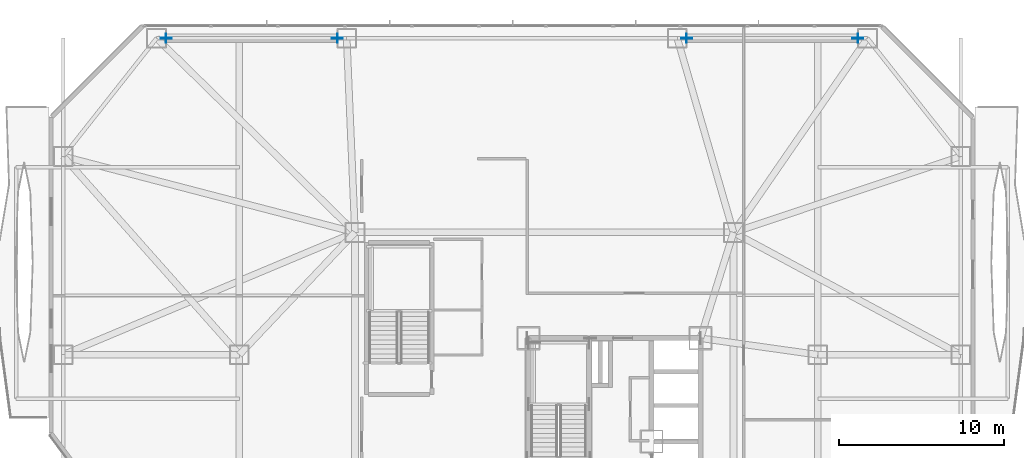
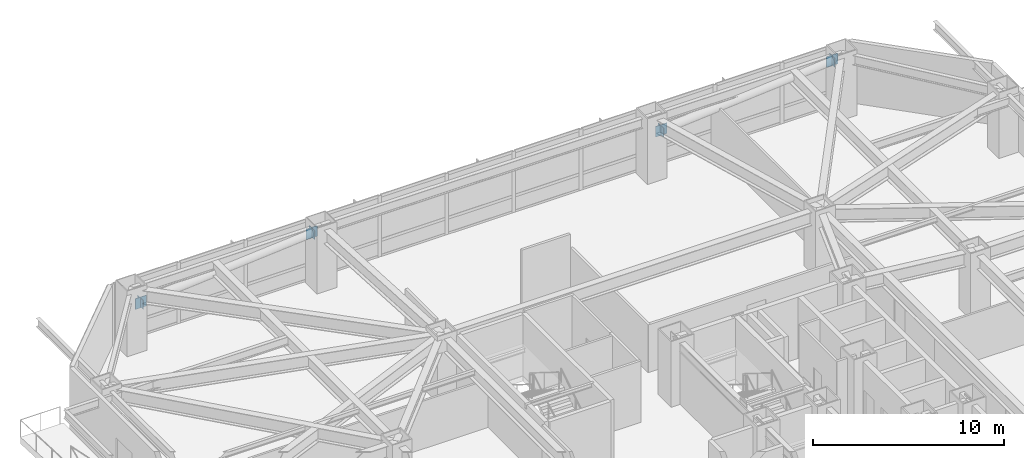
# One storey, part 22 of 32: 8 plates.
"""IFC4 building model written with IfcOpenShell, lengths in metres."""

from ifc_helpers import new_model, si_unit, direction, frame, origin, origin_2d, place, context, subcontext, project, spatial, rectangle, extrude, material, layer, layer_set, type_object, element, save


model = new_model("IFC4")

# Units and contexts
model_context = context("Model", 3, precision=1e-05, world=origin(), true_north=direction((0.0, 1.0)))
body_context = subcontext(model_context, "Body", "Model", "MODEL_VIEW")
ifc_project = project(units=[si_unit("LENGTHUNIT", "METRE"), si_unit("AREAUNIT", "SQUARE_METRE"), si_unit("VOLUMEUNIT", "CUBIC_METRE"), si_unit("PLANEANGLEUNIT", "RADIAN"), si_unit("MASSUNIT", "GRAM", prefix="KILO")], contexts=[model_context])

# Site, building, storey
site_placement = place(None, origin())
site = spatial("IfcSite", under=ifc_project, at=site_placement, CompositionType="ELEMENT")
building_placement = place(site_placement, origin())
building = spatial("IfcBuilding", under=site, at=building_placement, Name="Khamvora Tower", CompositionType="ELEMENT")
storey_placement = place(building_placement, frame((0.0, 0.0, 12.0)))
storey = spatial("IfcBuildingStorey", under=building, at=storey_placement, Name="L02", CompositionType="ELEMENT", Elevation=12.0)

# Plates
ifc_material_1 = material(Name="Steel S355", Category="steel")
ifc_layer_1 = layer(ifc_material_1, 0.02490234375)
ifc_layer_set_1 = layer_set([ifc_layer_1], Name="Steel S355")
plate_type_1 = type_object("IfcPlateType", Name="PL-CAP-25", PredefinedType="SHEET", material=ifc_layer_set_1)
for number, where, z_axis, x_axis, name in (
    (1, (7.06591796875, 55.14990234375, 2.44189453125), (0.0, 0.0, 1.0), (1.0, 0.0, 0.0), "L02 hollow section steel end cap plate 0424"),
    (2, (17.43408203125, 55.14990234375, 3.28076171875), (0.0, 0.0, 1.0), (1.0, 0.0, 0.0), "L02 hollow section steel end cap plate 0425"),
    (3, (38.56591796875, 55.14990234375, 2.44189453125), (0.0, 0.0, 1.0), (1.0, 0.0, 0.0), "L02 hollow section steel end cap plate 0426"),
    (4, (48.93408203125, 55.14990234375, 3.28076171875), (0.0, 0.0, 1.0), (1.0, 0.0, 0.0), "L02 hollow section steel end cap plate 0427"),
):
    element("IfcPlate", number, at=place(storey_placement, frame(where, z_axis=z_axis, x_axis=x_axis)), inside=storey, type_object=plate_type_1, Name=name, PredefinedType="SHEET", context=body_context, shape_type="SweptSolid", body=[
        extrude(rectangle(XDim=0.02490234375, YDim=0.568115234375, at=origin_2d()), origin(), (0.0, 0.0, 1.0), 0.568115234375),
    ])
ifc_material_2 = material(Name="Steel S460", Category="steel")
ifc_layer_2 = layer(ifc_material_2, 0.0400390625)
ifc_layer_set_2 = layer_set([ifc_layer_2], Name="Steel S460")
plate_type_2 = type_object("IfcPlateType", Name="PLT-GUS-40", PredefinedType="SHEET", material=ifc_layer_set_2)
for number, where, z_axis, x_axis, name in (
    (5, (7.077880859375, 55.14990234375, 2.38720703125), (0.0, 0.0, 1.0), (1.0, 0.0, 0.0), "L02 brace connection node gusset plate 0037"),
    (6, (17.422119140625, 55.14990234375, 3.22412109375), (0.0, 0.0, 1.0), (1.0, 0.0, 0.0), "L02 brace connection node gusset plate 0038"),
    (7, (38.577880859375, 55.14990234375, 2.38720703125), (0.0, 0.0, 1.0), (1.0, 0.0, 0.0), "L02 brace connection node gusset plate 0039"),
    (8, (48.922119140625, 55.14990234375, 3.22412109375), (0.0, 0.0, 1.0), (1.0, 0.0, 0.0), "L02 brace connection node gusset plate 0040"),
):
    element("IfcPlate", number, at=place(storey_placement, frame(where, z_axis=z_axis, x_axis=x_axis)), inside=storey, type_object=plate_type_2, Name=name, PredefinedType="SHEET", context=body_context, shape_type="SweptSolid", body=[
        extrude(rectangle(XDim=0.679931640625, YDim=0.0400390625, at=origin_2d()), origin(), (0.0, 0.0, 1.0), 0.679931640625),
    ])

save(model, "model.ifc")
